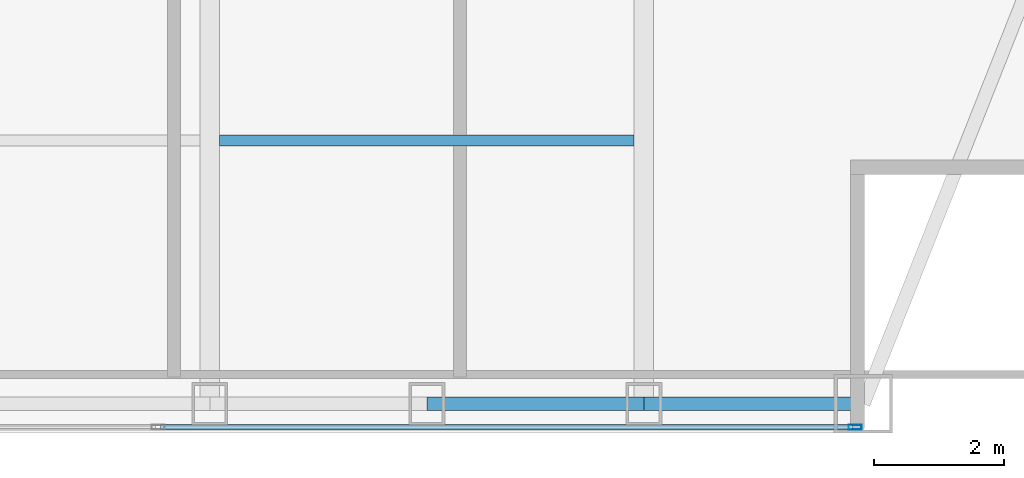
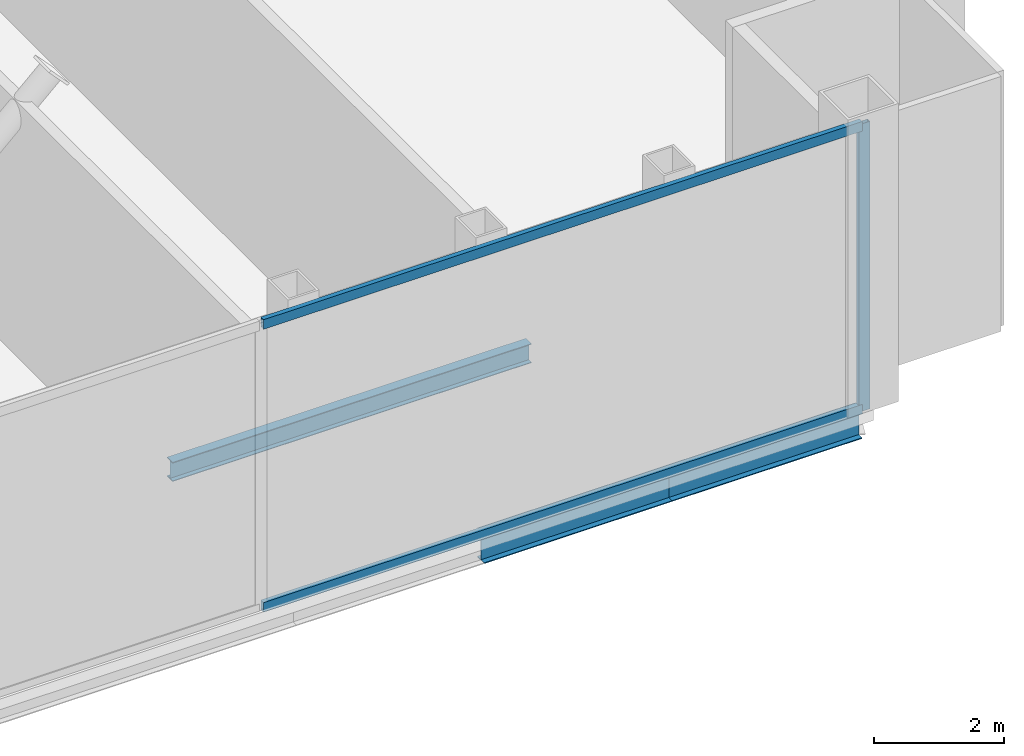
# One storey, part 11 of 23: 3 beams, 3 members, 1 element without a shape of its own.
"""IFC4 building model written with IfcOpenShell, lengths in metres."""

from ifc_helpers import new_model, si_unit, direction, frame, origin, origin_2d, place, context, subcontext, project, spatial, hollow_rectangle, i_section, extrude, material, material_profile, profile_set, type_object, element, aggregate, save


model = new_model("IFC4")

# Units and contexts
model_context = context("Model", 3, precision=1e-05, world=origin(), true_north=direction((0.0, 1.0)))
body_context = subcontext(model_context, "Body", "Model", "MODEL_VIEW")
ifc_project = project(units=[si_unit("LENGTHUNIT", "METRE"), si_unit("AREAUNIT", "SQUARE_METRE"), si_unit("VOLUMEUNIT", "CUBIC_METRE"), si_unit("PLANEANGLEUNIT", "RADIAN"), si_unit("MASSUNIT", "GRAM", prefix="KILO")], contexts=[model_context])

# Site, building, storey
site_placement = place(None, origin())
site = spatial("IfcSite", under=ifc_project, at=site_placement, CompositionType="ELEMENT")
building_placement = place(site_placement, origin())
building = spatial("IfcBuilding", under=site, at=building_placement, Name="Khoronbel Lancet Exchange", CompositionType="ELEMENT")
storey_placement = place(building_placement, frame((0.0, 0.0, 356.199951171875)))
storey = spatial("IfcBuildingStorey", under=building, at=storey_placement, Name="L92", CompositionType="ELEMENT", Elevation=356.199951171875)

# Beams
ifc_material_1 = material(Name="Steel S355", Category="steel")
ifc_material_profile_1 = material_profile(ifc_material_1, i_section(OverallWidth=0.169921875, OverallDepth=0.360107421875, WebThickness=0.008056640625, FlangeThickness=0.0126953125, at=origin_2d()), Name="IPE 360")
ifc_profile_set_1 = profile_set([ifc_material_profile_1], Name="Steel S355")
beam_type_1 = type_object("IfcBeamType", Name="BM-BJ6", PredefinedType="JOIST", material=ifc_profile_set_1)
beam_1_placement = place(storey_placement, frame((48.14990234375, 14.199951171875, -0.3798828125), z_axis=(1.0, 0.0, 0.0), x_axis=(0.0, 1.0, 0.0)))
element("IfcBeam", 1, at=beam_1_placement, inside=storey, type_object=beam_type_1, Name="Level L92 secondary composite joist J03", PredefinedType="JOIST", context=body_context, shape_type="SweptSolid", body=[
    extrude(i_section(OverallWidth=0.169921875, OverallDepth=0.360107421875, WebThickness=0.008056640625, FlangeThickness=0.0126953125, at=origin_2d()), origin(), (0.0, 0.0, 1.0), 6.375),
])
ifc_material_profile_2 = material_profile(ifc_material_1, i_section(OverallWidth=0.2099609375, OverallDepth=0.550048828125, WebThickness=0.010986328125, FlangeThickness=0.01708984375, at=origin_2d()), Name="IPE 550")
ifc_profile_set_2 = profile_set([ifc_material_profile_2], Name="Steel S355")
beam_type_2 = type_object("IfcBeamType", Name="BM-BSP3", PredefinedType="SPANDREL", material=ifc_profile_set_2)
beam_2_placement = place(storey_placement, frame((51.33740234375, 10.14990234375, -0.474853515625), z_axis=(1.0, 0.0, 0.0), x_axis=(0.0, 1.0, 0.0)))
element("IfcBeam", 2, at=beam_2_placement, inside=storey, type_object=beam_type_2, Name="Level L92 perimeter spandrel beam SP06", PredefinedType="SPANDREL", context=body_context, shape_type="SweptSolid", body=[
    extrude(i_section(OverallWidth=0.2099609375, OverallDepth=0.550048828125, WebThickness=0.010986328125, FlangeThickness=0.01708984375, at=origin_2d()), origin(), (0.0, 0.0, 1.0), 3.337646484375),
])
beam_3_placement = place(storey_placement, frame((54.675048828125, 10.14990234375, -0.474853515625), z_axis=(1.0, 0.0, 0.0), x_axis=(0.0, 1.0, 0.0)))
element("IfcBeam", 3, at=beam_3_placement, inside=storey, type_object=beam_type_2, Name="Level L92 perimeter spandrel beam SP07", PredefinedType="SPANDREL", context=body_context, shape_type="SweptSolid", body=[
    extrude(i_section(OverallWidth=0.2099609375, OverallDepth=0.550048828125, WebThickness=0.010986328125, FlangeThickness=0.01708984375, at=origin_2d()), origin(), (0.0, 0.0, 1.0), 3.375),
])

# Curtain wall, members
ifc_material_2 = material(Name="Low-E Solar Control Insulating Glass", Category="glass")
curtain_wall_type = type_object("IfcCurtainWallType", Name="CW-6", PredefinedType="NOTDEFINED", material=ifc_material_2)
curtain_wall_placement = place(storey_placement, origin())
curtain_wall = element("IfcCurtainWall", 4, at=curtain_wall_placement, inside=storey, type_object=curtain_wall_type, Name="Unitised curtain wall CW-L92-E12", PredefinedType="NOTDEFINED")
ifc_material_3 = material(Name="Bronze-Anodised Aluminium 6063-T6", Category="aluminium")
ifc_material_profile_3 = material_profile(ifc_material_3, hollow_rectangle(XDim=0.074951171875, YDim=0.199951171875, WallThickness=0.0048828125, at=origin_2d()), Name="ALU MULLION 75x200")
ifc_profile_set_3 = profile_set([ifc_material_profile_3], Name="Bronze-Anodised Aluminium 6063-T6")
member_type_1 = type_object("IfcMemberType", Name="MEM-CWM2", PredefinedType="MULLION", material=ifc_profile_set_3)
member_1_placement = place(storey_placement, frame((57.922607421875, 9.7900390625, 0.0), z_axis=(0.0, 0.0, 1.0), x_axis=(0.0, -1.0, 0.0)))
member_1 = element("IfcMember", 5, at=member_1_placement, type_object=member_type_1, Name="CW6 mullion 1", PredefinedType="MULLION", context=body_context, shape_type="SweptSolid", body=[
    extrude(hollow_rectangle(XDim=0.074951171875, YDim=0.199951171875, WallThickness=0.0048828125, at=origin_2d()), origin(), (0.0, 0.0, 1.0), 5.400146484375),
])
ifc_material_profile_4 = material_profile(ifc_material_3, hollow_rectangle(XDim=0.0849609375, YDim=0.179931640625, WallThickness=0.0048828125, at=origin_2d()), Name="ALU TRANSOM 85x180")
ifc_profile_set_4 = profile_set([ifc_material_profile_4], Name="Bronze-Anodised Aluminium 6063-T6")
member_type_2 = type_object("IfcMemberType", Name="MEM-CWT1", PredefinedType="USERDEFINED", material=ifc_profile_set_4)
member_2_placement = place(storey_placement, frame((57.885009765625, 9.7900390625, 0.04248046875), z_axis=(-1.0, 0.0, 0.0), x_axis=(0.0, -1.0, 0.0)))
member_2 = element("IfcMember", 6, at=member_2_placement, type_object=member_type_2, Name="CW6 transom 1.1", ObjectType="TRANSOM", PredefinedType="USERDEFINED", context=body_context, shape_type="SweptSolid", body=[
    extrude(hollow_rectangle(XDim=0.0849609375, YDim=0.179931640625, WallThickness=0.0048828125, at=origin_2d()), origin(), (0.0, 0.0, 1.0), 10.642578125),
])
member_3_placement = place(storey_placement, frame((57.885009765625, 9.7900390625, 5.357666015625), z_axis=(-1.0, 0.0, 0.0), x_axis=(0.0, -1.0, 0.0)))
member_3 = element("IfcMember", 7, at=member_3_placement, type_object=member_type_2, Name="CW6 transom 1.2", ObjectType="TRANSOM", PredefinedType="USERDEFINED", context=body_context, shape_type="SweptSolid", body=[
    extrude(hollow_rectangle(XDim=0.0849609375, YDim=0.179931640625, WallThickness=0.0048828125, at=origin_2d()), origin(), (0.0, 0.0, 1.0), 10.642578125),
])
aggregate(curtain_wall, [member_1, member_2, member_3])

save(model, "model.ifc")
